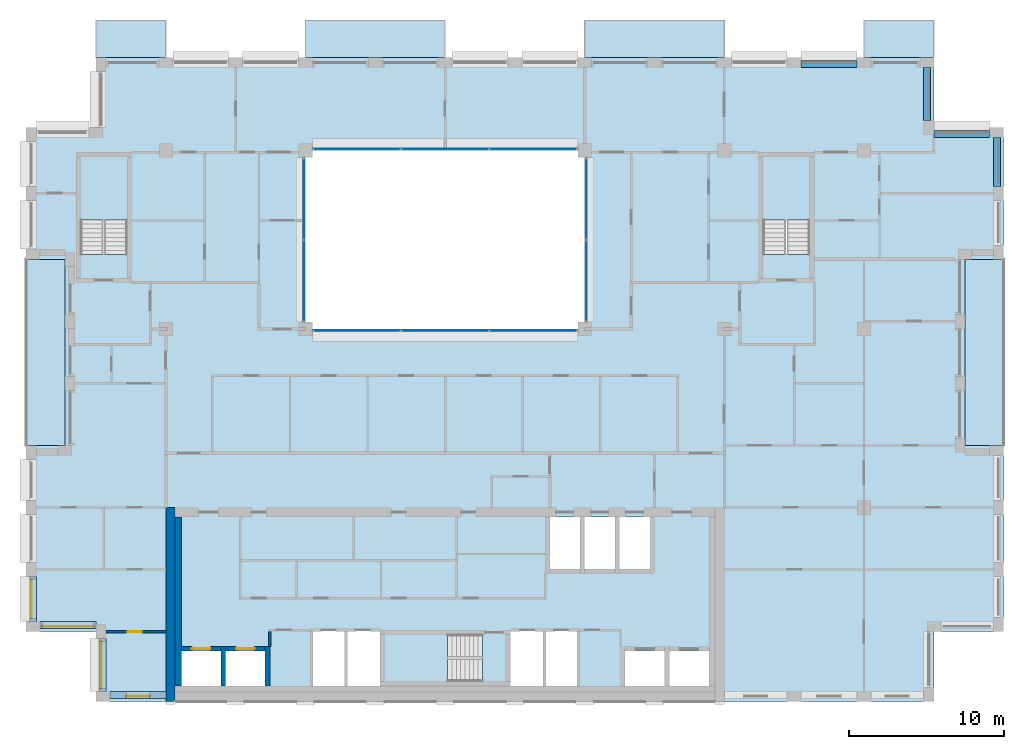
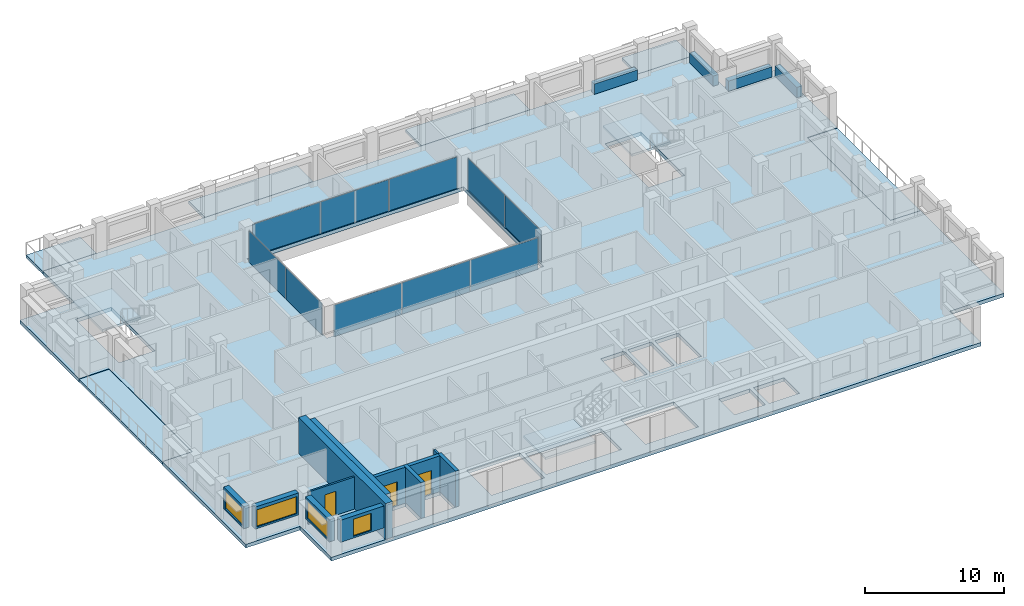
# One storey, part 7 of 15: 12 walls, 10 plates, 10 slabs, 4 beams, 4 windows, 3 doors, 7 openings, 7 elements without a shape of their own.
"""IFC4 building model written with IfcOpenShell, lengths in metres."""

from ifc_helpers import new_model, si_unit, direction, frame, frame_2d, origin, origin_2d, place, context, subcontext, project, spatial, polyline, rectangle, outline, extrude, material, layer, layer_set, material_profile, profile_set, type_object, element, fill, aggregate, save


model = new_model("IFC4")

# Units and contexts
model_context = context("Model", 3, precision=1e-05, world=origin(), true_north=direction((0.0, 1.0)))
body_context = subcontext(model_context, "Body", "Model", "MODEL_VIEW")
ifc_project = project(units=[si_unit("LENGTHUNIT", "METRE"), si_unit("AREAUNIT", "SQUARE_METRE"), si_unit("VOLUMEUNIT", "CUBIC_METRE"), si_unit("PLANEANGLEUNIT", "RADIAN"), si_unit("MASSUNIT", "GRAM", prefix="KILO")], contexts=[model_context])

# Site, building, storey
site_placement = place(None, origin())
site = spatial("IfcSite", under=ifc_project, at=site_placement, CompositionType="ELEMENT")
building_placement = place(site_placement, origin())
building = spatial("IfcBuilding", under=site, at=building_placement, Name="Brigalow Station Residences", CompositionType="ELEMENT")
storey_placement = place(building_placement, frame((0.0, 0.0, 210.60009765625)))
storey = spatial("IfcBuildingStorey", under=building, at=storey_placement, Name="L60", CompositionType="ELEMENT", Elevation=210.60009765625)

# Beams
ifc_material_1 = material(Name="Concrete C50", Category="concrete")
ifc_material_profile = material_profile(ifc_material_1, rectangle(XDim=0.449951171875, YDim=0.89990234375, at=origin_2d()), Name="RC450x900")
ifc_profile_set = profile_set([ifc_material_profile], Name="Concrete C50")
beam_type = type_object("IfcBeamType", Name="SPANDREL BEAM 450x900 C50", PredefinedType="SPANDREL", material=ifc_profile_set)
beam_1_placement = place(storey_placement, frame((71.574951171875, 33.199951171875, 0.449951171875), z_axis=(0.0, 1.0, 0.0), x_axis=(-1.0, 0.0, 0.0)))
element("IfcBeam", 1, at=beam_1_placement, inside=storey, type_object=beam_type, Name="L60/spandrel/W-L60-17", PredefinedType="SPANDREL", context=body_context, shape_type="SweptSolid", body=[
    extrude(rectangle(XDim=0.449951171875, YDim=0.89990234375, at=origin_2d()), origin(), (0.0, 0.0, 1.0), 3.150146484375),
])
beam_2_placement = place(storey_placement, frame((71.10009765625, 36.574951171875, 0.449951171875), z_axis=(-1.0, 0.0, 0.0), x_axis=(0.0, -1.0, 0.0)))
element("IfcBeam", 2, at=beam_2_placement, inside=storey, type_object=beam_type, Name="L60/spandrel/W-L60-18", PredefinedType="SPANDREL", context=body_context, shape_type="SweptSolid", body=[
    extrude(rectangle(XDim=0.449951171875, YDim=0.89990234375, at=origin_2d()), origin(), (0.0, 0.0, 1.0), 3.60009765625),
])
beam_3_placement = place(storey_placement, frame((67.074951171875, 37.449951171875, 0.449951171875), z_axis=(0.0, 1.0, 0.0), x_axis=(-1.0, 0.0, 0.0)))
element("IfcBeam", 3, at=beam_3_placement, inside=storey, type_object=beam_type, Name="L60/spandrel/W-L60-19", PredefinedType="SPANDREL", context=body_context, shape_type="SweptSolid", body=[
    extrude(rectangle(XDim=0.449951171875, YDim=0.89990234375, at=origin_2d()), origin(), (0.0, 0.0, 1.0), 3.400146484375),
])
beam_4_placement = place(storey_placement, frame((62.550048828125, 41.074951171875, 0.449951171875), z_axis=(-1.0, 0.0, 0.0), x_axis=(0.0, -1.0, 0.0)))
element("IfcBeam", 4, at=beam_4_placement, inside=storey, type_object=beam_type, Name="L60/spandrel/W-L60-21", PredefinedType="SPANDREL", context=body_context, shape_type="SweptSolid", body=[
    extrude(rectangle(XDim=0.449951171875, YDim=0.89990234375, at=origin_2d()), origin(), (0.0, 0.0, 1.0), 3.60009765625),
])

# Curtain wall, plates
ifc_material_2 = material(Name="Aluminium", Category="aluminium")
ifc_layer_1 = layer(ifc_material_2, 0.14990234375)
ifc_layer_set_1 = layer_set([ifc_layer_1], Name="ATRIUM FIRE-RATED GLAZING CURTAIN WALL")
curtain_wall_type = type_object("IfcCurtainWallType", Name="ATRIUM FIRE-RATED GLAZING CURTAIN WALL", PredefinedType="NOTDEFINED", material=ifc_layer_set_1)
curtain_wall_1_placement = place(storey_placement, origin())
curtain_wall_1 = element("IfcCurtainWall", 5, at=curtain_wall_1_placement, inside=storey, type_object=curtain_wall_type, Name="L60/cw/atrium-S", PredefinedType="NOTDEFINED")
ifc_material_3 = material(Name="Fire-resisting laminated glazing, FRL -/60/-", Category="glass")
ifc_layer_2 = layer(ifc_material_3, 0.031982421875)
ifc_layer_set_2 = layer_set([ifc_layer_2], Name="ATRIUM FIRE-RATED GLAZING PANEL 32")
plate_type = type_object("IfcPlateType", Name="ATRIUM FIRE-RATED GLAZING PANEL 32", PredefinedType="CURTAIN_PANEL", material=ifc_layer_set_2)
plate_1_placement = place(storey_placement, frame((30.31494140625, 23.89990234375, 0.0), z_axis=(0.0, 0.0, 1.0), x_axis=(1.0, 0.0, 0.0)))
plate_1 = element("IfcPlate", 6, at=plate_1_placement, type_object=plate_type, Name="L60/cw/atrium-S/P00-00", PredefinedType="CURTAIN_PANEL", context=body_context, shape_type="SweptSolid", body=[
    extrude(rectangle(XDim=5.610107421875, YDim=0.031982421875, at=origin_2d()), origin(), (0.0, 0.0, 1.0), 2.77001953125),
])
plate_2_placement = place(storey_placement, frame((36.0, 23.89990234375, 0.0), z_axis=(0.0, 0.0, 1.0), x_axis=(1.0, 0.0, 0.0)))
plate_2 = element("IfcPlate", 7, at=plate_2_placement, type_object=plate_type, Name="L60/cw/atrium-S/P01-00", PredefinedType="CURTAIN_PANEL", context=body_context, shape_type="SweptSolid", body=[
    extrude(rectangle(XDim=5.639892578125, YDim=0.031982421875, at=origin_2d()), origin(), (0.0, 0.0, 1.0), 2.77001953125),
])
plate_3_placement = place(storey_placement, frame((41.68505859375, 23.89990234375, 0.0), z_axis=(0.0, 0.0, 1.0), x_axis=(1.0, 0.0, 0.0)))
plate_3 = element("IfcPlate", 8, at=plate_3_placement, type_object=plate_type, Name="L60/cw/atrium-S/P02-00", PredefinedType="CURTAIN_PANEL", context=body_context, shape_type="SweptSolid", body=[
    extrude(rectangle(XDim=5.610107421875, YDim=0.031982421875, at=origin_2d()), origin(), (0.0, 0.0, 1.0), 2.77001953125),
])
aggregate(curtain_wall_1, [plate_1, plate_2, plate_3])

curtain_wall_2_placement = place(storey_placement, origin())
curtain_wall_2 = element("IfcCurtainWall", 9, at=curtain_wall_2_placement, inside=storey, type_object=curtain_wall_type, Name="L60/cw/atrium-E", PredefinedType="NOTDEFINED")
plate_4_placement = place(storey_placement, frame((45.10009765625, 27.114990234375, 0.0), z_axis=(0.0, 0.0, 1.0), x_axis=(0.0, 1.0, 0.0)))
plate_4 = element("IfcPlate", 10, at=plate_4_placement, type_object=plate_type, Name="L60/cw/atrium-E/P00-00", PredefinedType="CURTAIN_PANEL", context=body_context, shape_type="SweptSolid", body=[
    extrude(rectangle(XDim=5.2099609375, YDim=0.031982421875, at=origin_2d()), origin(), (0.0, 0.0, 1.0), 2.77001953125),
])
plate_5_placement = place(storey_placement, frame((45.10009765625, 32.385009765625, 0.0), z_axis=(0.0, 0.0, 1.0), x_axis=(0.0, 1.0, 0.0)))
plate_5 = element("IfcPlate", 11, at=plate_5_placement, type_object=plate_type, Name="L60/cw/atrium-E/P01-00", PredefinedType="CURTAIN_PANEL", context=body_context, shape_type="SweptSolid", body=[
    extrude(rectangle(XDim=5.2099609375, YDim=0.031982421875, at=origin_2d()), origin(), (0.0, 0.0, 1.0), 2.77001953125),
])
aggregate(curtain_wall_2, [plate_4, plate_5])

curtain_wall_3_placement = place(storey_placement, origin())
curtain_wall_3 = element("IfcCurtainWall", 12, at=curtain_wall_3_placement, inside=storey, type_object=curtain_wall_type, Name="L60/cw/atrium-N", PredefinedType="NOTDEFINED")
plate_6_placement = place(storey_placement, frame((41.68505859375, 35.60009765625, 0.0), z_axis=(0.0, 0.0, 1.0), x_axis=(-1.0, 0.0, 0.0)))
plate_6 = element("IfcPlate", 13, at=plate_6_placement, type_object=plate_type, Name="L60/cw/atrium-N/P00-00", PredefinedType="CURTAIN_PANEL", context=body_context, shape_type="SweptSolid", body=[
    extrude(rectangle(XDim=5.610107421875, YDim=0.031982421875, at=origin_2d()), origin(), (0.0, 0.0, 1.0), 2.77001953125),
])
plate_7_placement = place(storey_placement, frame((36.0, 35.60009765625, 0.0), z_axis=(0.0, 0.0, 1.0), x_axis=(-1.0, 0.0, 0.0)))
plate_7 = element("IfcPlate", 14, at=plate_7_placement, type_object=plate_type, Name="L60/cw/atrium-N/P01-00", PredefinedType="CURTAIN_PANEL", context=body_context, shape_type="SweptSolid", body=[
    extrude(rectangle(XDim=5.639892578125, YDim=0.031982421875, at=origin_2d()), origin(), (0.0, 0.0, 1.0), 2.77001953125),
])
plate_8_placement = place(storey_placement, frame((30.31494140625, 35.60009765625, 0.0), z_axis=(0.0, 0.0, 1.0), x_axis=(-1.0, 0.0, 0.0)))
plate_8 = element("IfcPlate", 15, at=plate_8_placement, type_object=plate_type, Name="L60/cw/atrium-N/P02-00", PredefinedType="CURTAIN_PANEL", context=body_context, shape_type="SweptSolid", body=[
    extrude(rectangle(XDim=5.610107421875, YDim=0.031982421875, at=origin_2d()), origin(), (0.0, 0.0, 1.0), 2.77001953125),
])
aggregate(curtain_wall_3, [plate_6, plate_7, plate_8])

curtain_wall_4_placement = place(storey_placement, origin())
curtain_wall_4 = element("IfcCurtainWall", 16, at=curtain_wall_4_placement, inside=storey, type_object=curtain_wall_type, Name="L60/cw/atrium-W", PredefinedType="NOTDEFINED")
plate_9_placement = place(storey_placement, frame((26.89990234375, 32.385009765625, 0.0), z_axis=(0.0, 0.0, 1.0), x_axis=(0.0, -1.0, 0.0)))
plate_9 = element("IfcPlate", 17, at=plate_9_placement, type_object=plate_type, Name="L60/cw/atrium-W/P00-00", PredefinedType="CURTAIN_PANEL", context=body_context, shape_type="SweptSolid", body=[
    extrude(rectangle(XDim=5.2099609375, YDim=0.031982421875, at=origin_2d()), origin(), (0.0, 0.0, 1.0), 2.77001953125),
])
plate_10_placement = place(storey_placement, frame((26.89990234375, 27.114990234375, 0.0), z_axis=(0.0, 0.0, 1.0), x_axis=(0.0, -1.0, 0.0)))
plate_10 = element("IfcPlate", 18, at=plate_10_placement, type_object=plate_type, Name="L60/cw/atrium-W/P01-00", PredefinedType="CURTAIN_PANEL", context=body_context, shape_type="SweptSolid", body=[
    extrude(rectangle(XDim=5.2099609375, YDim=0.031982421875, at=origin_2d()), origin(), (0.0, 0.0, 1.0), 2.77001953125),
])
aggregate(curtain_wall_4, [plate_9, plate_10])

# Slabs
ifc_material_4 = material(Name="Concrete C50 precast", Category="concrete")
ifc_layer_3 = layer(ifc_material_4, 0.25)
ifc_layer_set_3 = layer_set([ifc_layer_3], Name="BALCONY SLAB 250")
slab_type_1 = type_object("IfcSlabType", Name="BALCONY SLAB 250", PredefinedType="USERDEFINED", material=ifc_layer_set_3)
slab_1_placement = place(storey_placement, frame((0.0, 0.0, -0.2900390625)))
element("IfcSlab", 19, at=slab_1_placement, inside=storey, type_object=slab_type_1, Name="L60/balcony/1", ObjectType="BALCONY", PredefinedType="USERDEFINED", context=body_context, shape_type="SweptSolid", body=[
    extrude(outline(polyline([(69.5, 16.5), (72.0, 16.5), (72.0, 28.5), (69.5, 28.5), (69.5, 16.5)])), origin(), (0.0, 0.0, 1.0), 0.25),
])
slab_2_placement = place(storey_placement, frame((0.0, 0.0, -0.2900390625)))
element("IfcSlab", 20, at=slab_2_placement, inside=storey, type_object=slab_type_1, Name="L60/balcony/2", ObjectType="BALCONY", PredefinedType="USERDEFINED", context=body_context, shape_type="SweptSolid", body=[
    extrude(outline(polyline([(67.5, 41.5), (67.5, 43.89990234375), (63.0, 43.89990234375), (63.0, 41.5), (67.5, 41.5)])), origin(), (0.0, 0.0, 1.0), 0.25),
])
slab_3_placement = place(storey_placement, frame((0.0, 0.0, -0.2900390625)))
element("IfcSlab", 21, at=slab_3_placement, inside=storey, type_object=slab_type_1, Name="L60/balcony/3", ObjectType="BALCONY", PredefinedType="USERDEFINED", context=body_context, shape_type="SweptSolid", body=[
    extrude(outline(polyline([(54.0, 41.5), (54.0, 43.89990234375), (45.0, 43.89990234375), (45.0, 41.5), (54.0, 41.5)])), origin(), (0.0, 0.0, 1.0), 0.25),
])
slab_4_placement = place(storey_placement, frame((0.0, 0.0, -0.2900390625)))
element("IfcSlab", 22, at=slab_4_placement, inside=storey, type_object=slab_type_1, Name="L60/balcony/4", ObjectType="BALCONY", PredefinedType="USERDEFINED", context=body_context, shape_type="SweptSolid", body=[
    extrude(outline(polyline([(36.0, 41.5), (36.0, 43.89990234375), (27.0, 43.89990234375), (27.0, 41.5), (36.0, 41.5)])), origin(), (0.0, 0.0, 1.0), 0.25),
])
slab_5_placement = place(storey_placement, frame((0.0, 0.0, -0.2900390625)))
element("IfcSlab", 23, at=slab_5_placement, inside=storey, type_object=slab_type_1, Name="L60/balcony/5", ObjectType="BALCONY", PredefinedType="USERDEFINED", context=body_context, shape_type="SweptSolid", body=[
    extrude(outline(polyline([(18.0, 41.5), (18.0, 43.89990234375), (13.5, 43.89990234375), (13.5, 41.5), (18.0, 41.5)])), origin(), (0.0, 0.0, 1.0), 0.25),
])
slab_6_placement = place(storey_placement, frame((0.0, 0.0, -0.2900390625)))
element("IfcSlab", 24, at=slab_6_placement, inside=storey, type_object=slab_type_1, Name="L60/balcony/6", ObjectType="BALCONY", PredefinedType="USERDEFINED", context=body_context, shape_type="SweptSolid", body=[
    extrude(outline(polyline([(11.5, 28.5), (9.0, 28.5), (9.0, 16.5), (11.5, 16.5), (11.5, 28.5)])), origin(), (0.0, 0.0, 1.0), 0.25),
])
ifc_material_5 = material(Name="Concrete C50", Category="concrete")
ifc_layer_4 = layer(ifc_material_5, 0.320068359375)
ifc_layer_set_4 = layer_set([ifc_layer_4], Name="POST-TENSIONED FLAT PLATE 320 C50")
slab_type_2 = type_object("IfcSlabType", Name="POST-TENSIONED FLAT PLATE 320 C50", PredefinedType="FLOOR", material=ifc_layer_set_4)
slab_7_placement = place(storey_placement, frame((0.0, 0.0, -0.320068359375)))
element("IfcSlab", 25, at=slab_7_placement, inside=storey, type_object=slab_type_2, Name="FLOOR SLAB L60", PredefinedType="FLOOR", context=body_context, shape_type="SweptSolid", body=[
    extrude(outline(polyline([(13.5, 0.0), (67.5, 0.0), (67.5, 4.5), (72.0, 4.5), (72.0, 16.5), (69.5, 16.5), (69.5, 28.5), (72.0, 28.5), (72.0, 37.0), (67.5, 37.0), (67.5, 41.5), (13.5, 41.5), (13.5, 37.0), (9.0, 37.0), (9.0, 28.5), (11.5, 28.5), (11.5, 16.5), (9.0, 16.5), (9.0, 4.5), (13.5, 4.5), (13.5, 0.0)]), holes=[polyline([(12.5048828125, 35.094970703125), (15.4951171875, 35.094970703125), (15.4951171875, 28.804931640625), (12.5048828125, 28.804931640625), (12.5048828125, 35.094970703125)]), polyline([(19.0, 1.0), (19.0, 3.25), (21.550048828125, 3.25), (21.550048828125, 1.0), (19.0, 1.0)]), polyline([(21.85009765625, 3.25), (24.39990234375, 3.25), (24.39990234375, 1.0), (21.85009765625, 1.0), (21.85009765625, 3.25)]), polyline([(27.0, 35.5), (45.0, 35.5), (45.0, 24.0), (27.0, 24.0), (27.0, 35.5)]), polyline([(29.60009765625, 4.60009765625), (31.800048828125, 4.60009765625), (31.800048828125, 1.0), (29.60009765625, 1.0), (27.39990234375, 1.0), (27.39990234375, 4.60009765625), (29.60009765625, 4.60009765625)]), polyline([(32.10498046875, 4.294921875), (38.39501953125, 4.294921875), (38.39501953125, 1.304931640625), (32.10498046875, 1.304931640625), (32.10498046875, 4.294921875)]), polyline([(40.199951171875, 4.60009765625), (42.39990234375, 4.60009765625), (44.60009765625, 4.60009765625), (44.60009765625, 1.0), (42.39990234375, 1.0), (40.199951171875, 1.0), (40.199951171875, 4.60009765625)]), polyline([(42.75, 11.89990234375), (44.699951171875, 11.89990234375), (44.699951171875, 8.550048828125), (42.75, 8.550048828125), (42.75, 11.89990234375)]), polyline([(45.0, 11.89990234375), (46.949951171875, 11.89990234375), (46.949951171875, 8.550048828125), (45.0, 8.550048828125), (45.0, 11.89990234375)]), polyline([(47.25, 11.89990234375), (49.199951171875, 11.89990234375), (49.199951171875, 8.550048828125), (47.25, 8.550048828125), (47.25, 11.89990234375)]), polyline([(47.60009765625, 3.25), (50.14990234375, 3.25), (50.14990234375, 1.0), (47.60009765625, 1.0), (47.60009765625, 3.25)]), polyline([(50.449951171875, 3.25), (53.0, 3.25), (53.0, 1.0), (50.449951171875, 1.0), (50.449951171875, 3.25)]), polyline([(56.5048828125, 35.094970703125), (59.4951171875, 35.094970703125), (59.4951171875, 28.804931640625), (56.5048828125, 28.804931640625), (56.5048828125, 35.094970703125)])]), origin(), (0.0, 0.0, 1.0), 0.320068359375),
])

# Stair, slab
ifc_material_6 = material(Name="Concrete C50", Category="concrete")
stair_type = type_object("IfcStairType", Name="EXIT STAIR 1400 2 FLIGHT", PredefinedType="HALF_TURN_STAIR", material=ifc_material_6)
stair_1_placement = place(storey_placement, origin())
stair_1 = element("IfcStair", 26, at=stair_1_placement, inside=storey, type_object=stair_type, Name="EXIT STAIR S2 L60", PredefinedType="HALF_TURN_STAIR")
ifc_material_7 = material(Name="Concrete C50", Category="concrete")
ifc_layer_5 = layer(ifc_material_7, 0.199951171875)
ifc_layer_set_5 = layer_set([ifc_layer_5], Name="STAIR LANDING 200")
slab_type_3 = type_object("IfcSlabType", Name="STAIR LANDING 200", PredefinedType="LANDING", material=ifc_layer_set_5)
slab_8_placement = place(storey_placement, frame((0.0, 0.0, 1.375)))
slab_8 = element("IfcSlab", 27, at=slab_8_placement, type_object=slab_type_3, Name="ST-2 landing 1", PredefinedType="LANDING", context=body_context, shape_type="SweptSolid", body=[
    extrude(outline(polyline([(32.0, 1.199951171875), (36.159912109375, 1.199951171875), (36.159912109375, 4.39990234375), (32.0, 4.39990234375), (32.0, 1.199951171875)])), origin(), (0.0, 0.0, 1.0), 0.199951171875),
])
aggregate(stair_1, [slab_8])

stair_2_placement = place(storey_placement, origin())
stair_2 = element("IfcStair", 28, at=stair_2_placement, inside=storey, type_object=stair_type, Name="EXIT STAIR S1 L60", PredefinedType="HALF_TURN_STAIR")
slab_9_placement = place(storey_placement, frame((0.0, 0.0, 1.375)))
slab_9 = element("IfcSlab", 29, at=slab_9_placement, type_object=slab_type_3, Name="ST-1 landing 1", PredefinedType="LANDING", context=body_context, shape_type="SweptSolid", body=[
    extrude(outline(polyline([(12.39990234375, 31.0400390625), (15.60009765625, 31.0400390625), (15.60009765625, 35.199951171875), (12.39990234375, 35.199951171875), (12.39990234375, 31.0400390625)])), origin(), (0.0, 0.0, 1.0), 0.199951171875),
])
aggregate(stair_2, [slab_9])

stair_3_placement = place(storey_placement, origin())
stair_3 = element("IfcStair", 30, at=stair_3_placement, inside=storey, type_object=stair_type, Name="EXIT STAIR S3 L60", PredefinedType="HALF_TURN_STAIR")
slab_10_placement = place(storey_placement, frame((0.0, 0.0, 1.375)))
slab_10 = element("IfcSlab", 31, at=slab_10_placement, type_object=slab_type_3, Name="ST-3 landing 1", PredefinedType="LANDING", context=body_context, shape_type="SweptSolid", body=[
    extrude(outline(polyline([(56.39990234375, 31.0400390625), (59.60009765625, 31.0400390625), (59.60009765625, 35.199951171875), (56.39990234375, 35.199951171875), (56.39990234375, 31.0400390625)])), origin(), (0.0, 0.0, 1.0), 0.199951171875),
])
aggregate(stair_3, [slab_10])

# Wall, opening, window
ifc_material_8 = material(Name="Clay brick masonry", Category="masonry")
ifc_layer_6 = layer(ifc_material_8, 0.449951171875)
ifc_layer_set_6 = layer_set([ifc_layer_6], Name="BRICK INFILL WALL 450")
wall_type_1 = type_object("IfcWallType", Name="BRICK INFILL WALL 450", PredefinedType="SOLIDWALL", material=ifc_layer_set_6)
wall_1_placement = place(storey_placement, frame((14.39990234375, 0.425048828125, 0.89990234375), z_axis=(0.0, 0.0, 1.0), x_axis=(1.0, 0.0, 0.0)))
wall_1 = element("IfcWall", 32, at=wall_1_placement, inside=storey, type_object=wall_type_1, Name="L60/ewall/W-L60-1", PredefinedType="SOLIDWALL", context=body_context, shape_type="SweptSolid", body=[
    extrude(rectangle(XDim=3.60009765625, YDim=0.449951171875, at=frame_2d((1.800048828125, 0.0))), origin(), (0.0, 0.0, 1.0), 1.929931640625),
])
opening_1_placement = place(wall_1_placement, frame((1.050048828125, 0.0, 0.14990234375)))
opening_1 = element("IfcOpeningElement", 33, at=opening_1_placement, cuts=wall_1, Name="Opening WT-1", PredefinedType="OPENING", context=body_context, shape_type="SweptSolid", body=[
    extrude(rectangle(XDim=1.5, YDim=1.5, at=frame_2d((0.75, 0.75))), frame((0.0, 0.23486328125, 0.0), z_axis=(0.0, -1.0, 0.0), x_axis=(1.0, 0.0, 0.0)), (0.0, 0.0, 1.0), 0.469970703125),
])
ifc_material_9 = material(Name="Anodised aluminium frame with double glazing", Category="aluminium")
window_type_1 = type_object("IfcWindowType", Name="WINDOW 1500x1500", PartitioningType="SINGLE_PANEL", PredefinedType="WINDOW", material=ifc_material_9)
window_1_placement = place(opening_1_placement, origin())
window_1 = element("IfcWindow", 34, at=window_1_placement, inside=storey, type_object=window_type_1, Name="L60/window/W-L60-1", OverallHeight=1.5, OverallWidth=1.5, PartitioningType="SINGLE_PANEL", PredefinedType="WINDOW", context=body_context, shape_type="SweptSolid", body=[
    extrude(rectangle(XDim=1.5, YDim=1.5, at=frame_2d((0.75, 0.75))), frame((0.0, -0.06494140625, 0.0), z_axis=(0.0, -1.0, 0.0), x_axis=(1.0, 0.0, 0.0)), (0.0, 0.0, 1.0), 0.06005859375),
])
fill(opening_1, window_1)

wall_2_placement = place(storey_placement, frame((9.425048828125, 8.050048828125, 0.89990234375), z_axis=(0.0, 0.0, 1.0), x_axis=(0.0, -1.0, 0.0)))
wall_2 = element("IfcWall", 35, at=wall_2_placement, inside=storey, type_object=wall_type_1, Name="L60/ewall/W-L60-43", PredefinedType="SOLIDWALL", context=body_context, shape_type="SweptSolid", body=[
    extrude(rectangle(XDim=2.900146484375, YDim=0.449951171875, at=frame_2d((1.4501953125, 0.0))), origin(), (0.0, 0.0, 1.0), 1.929931640625),
])
opening_2_placement = place(wall_2_placement, frame((0.199951171875, 0.0, 0.14990234375)))
opening_2 = element("IfcOpeningElement", 36, at=opening_2_placement, cuts=wall_2, Name="Opening WT-5", PredefinedType="OPENING", context=body_context, shape_type="SweptSolid", body=[
    extrude(rectangle(XDim=2.5, YDim=1.5, at=frame_2d((1.25, 0.75))), frame((0.0, 0.23486328125, 0.0), z_axis=(0.0, -1.0, 0.0), x_axis=(1.0, 0.0, 0.0)), (0.0, 0.0, 1.0), 0.469970703125),
])
ifc_material_10 = material(Name="Anodised aluminium frame with double glazing", Category="aluminium")
window_type_2 = type_object("IfcWindowType", Name="WINDOW 2500x1500", PartitioningType="SINGLE_PANEL", PredefinedType="WINDOW", material=ifc_material_10)
window_2_placement = place(opening_2_placement, origin())
window_2 = element("IfcWindow", 37, at=window_2_placement, inside=storey, type_object=window_type_2, Name="L60/window/W-L60-43", OverallHeight=1.5, OverallWidth=2.5, PartitioningType="SINGLE_PANEL", PredefinedType="WINDOW", context=body_context, shape_type="SweptSolid", body=[
    extrude(rectangle(XDim=2.5, YDim=1.5, at=frame_2d((1.25, 0.75))), frame((0.0, -0.06494140625, 0.0), z_axis=(0.0, -1.0, 0.0), x_axis=(1.0, 0.0, 0.0)), (0.0, 0.0, 1.0), 0.06005859375),
])
fill(opening_2, window_2)

wall_3_placement = place(storey_placement, frame((9.89990234375, 4.925048828125, 0.89990234375), z_axis=(0.0, 0.0, 1.0), x_axis=(1.0, 0.0, 0.0)))
wall_3 = element("IfcWall", 38, at=wall_3_placement, inside=storey, type_object=wall_type_1, Name="L60/ewall/W-L60-44", PredefinedType="SOLIDWALL", context=body_context, shape_type="SweptSolid", body=[
    extrude(rectangle(XDim=3.60009765625, YDim=0.449951171875, at=frame_2d((1.800048828125, 0.0))), origin(), (0.0, 0.0, 1.0), 1.929931640625),
])
opening_3_placement = place(wall_3_placement, frame((0.14990234375, 0.0, 0.14990234375)))
opening_3 = element("IfcOpeningElement", 39, at=opening_3_placement, cuts=wall_3, Name="Opening WT-10", PredefinedType="OPENING", context=body_context, shape_type="SweptSolid", body=[
    extrude(rectangle(XDim=3.300048828125, YDim=1.5, at=frame_2d((1.64990234375, 0.75))), frame((0.0, 0.23486328125, 0.0), z_axis=(0.0, -1.0, 0.0), x_axis=(1.0, 0.0, 0.0)), (0.0, 0.0, 1.0), 0.469970703125),
])
ifc_material_11 = material(Name="Anodised aluminium frame with double glazing", Category="aluminium")
window_type_3 = type_object("IfcWindowType", Name="WINDOW 3300x1500", PartitioningType="SINGLE_PANEL", PredefinedType="WINDOW", material=ifc_material_11)
window_3_placement = place(opening_3_placement, origin())
window_3 = element("IfcWindow", 40, at=window_3_placement, inside=storey, type_object=window_type_3, Name="L60/window/W-L60-44", OverallHeight=1.5, OverallWidth=3.300048828125, PartitioningType="SINGLE_PANEL", PredefinedType="WINDOW", context=body_context, shape_type="SweptSolid", body=[
    extrude(rectangle(XDim=3.300048828125, YDim=1.5, at=frame_2d((1.64990234375, 0.75))), frame((0.0, -0.06494140625, 0.0), z_axis=(0.0, -1.0, 0.0), x_axis=(1.0, 0.0, 0.0)), (0.0, 0.0, 1.0), 0.06005859375),
])
fill(opening_3, window_3)

wall_4_placement = place(storey_placement, frame((13.925048828125, 4.050048828125, 0.89990234375), z_axis=(0.0, 0.0, 1.0), x_axis=(0.0, -1.0, 0.0)))
wall_4 = element("IfcWall", 41, at=wall_4_placement, inside=storey, type_object=wall_type_1, Name="L60/ewall/W-L60-45", PredefinedType="SOLIDWALL", context=body_context, shape_type="SweptSolid", body=[
    extrude(rectangle(XDim=3.400146484375, YDim=0.449951171875, at=frame_2d((1.7001953125, 0.0))), origin(), (0.0, 0.0, 1.0), 1.929931640625),
])
opening_4_placement = place(wall_4_placement, frame((0.199951171875, 0.0, 0.14990234375)))
opening_4 = element("IfcOpeningElement", 42, at=opening_4_placement, cuts=wall_4, Name="Opening WT-2", PredefinedType="OPENING", context=body_context, shape_type="SweptSolid", body=[
    extrude(rectangle(XDim=3.0, YDim=1.5, at=frame_2d((1.5, 0.75))), frame((0.0, 0.23486328125, 0.0), z_axis=(0.0, -1.0, 0.0), x_axis=(1.0, 0.0, 0.0)), (0.0, 0.0, 1.0), 0.469970703125),
])
ifc_material_12 = material(Name="Anodised aluminium frame with double glazing", Category="aluminium")
window_type_4 = type_object("IfcWindowType", Name="WINDOW 3000x1500", PartitioningType="SINGLE_PANEL", PredefinedType="WINDOW", material=ifc_material_12)
window_4_placement = place(opening_4_placement, origin())
window_4 = element("IfcWindow", 43, at=window_4_placement, inside=storey, type_object=window_type_4, Name="L60/window/W-L60-45", OverallHeight=1.5, OverallWidth=3.0, PartitioningType="SINGLE_PANEL", PredefinedType="WINDOW", context=body_context, shape_type="SweptSolid", body=[
    extrude(rectangle(XDim=3.0, YDim=1.5, at=frame_2d((1.5, 0.75))), frame((0.0, -0.06494140625, 0.0), z_axis=(0.0, -1.0, 0.0), x_axis=(1.0, 0.0, 0.0)), (0.0, 0.0, 1.0), 0.06005859375),
])
fill(opening_4, window_4)

# Wall, opening, door
ifc_material_13 = material(Name="Concrete C50", Category="concrete")
ifc_layer_7 = layer(ifc_material_13, 0.300048828125)
ifc_layer_set_7 = layer_set([ifc_layer_7], Name="CORE SHEAR WALL 300 C50")
wall_type_2 = type_object("IfcWallType", Name="CORE SHEAR WALL 300 C50", PredefinedType="SHEAR", material=ifc_layer_set_7)
wall_5_placement = place(storey_placement, frame((19.0, 3.39990234375, 0.0), z_axis=(0.0, 0.0, 1.0), x_axis=(1.0, 0.0, 0.0)))
wall_5 = element("IfcWall", 44, at=wall_5_placement, inside=storey, type_object=wall_type_2, Name="CORE WALL SH-C1-N L60", PredefinedType="SHEAR", context=body_context, shape_type="SweptSolid", body=[
    extrude(rectangle(XDim=2.550048828125, YDim=0.300048828125, at=frame_2d((1.27490234375, 0.0))), origin(), (0.0, 0.0, 1.0), 3.14990234375),
])
opening_5_placement = place(wall_5_placement, frame((0.675048828125, 0.0, 0.0)))
opening_5 = element("IfcOpeningElement", 45, at=opening_5_placement, cuts=wall_5, Name="Opening LD-LB1", PredefinedType="OPENING", context=body_context, shape_type="SweptSolid", body=[
    extrude(rectangle(XDim=1.199951171875, YDim=2.10009765625, at=frame_2d((0.60009765625, 1.050048828125))), frame((0.0, 0.16015625, 0.0), z_axis=(0.0, -1.0, 0.0), x_axis=(1.0, 0.0, 0.0)), (0.0, 0.0, 1.0), 0.320068359375),
])
ifc_material_14 = material(Name="Stainless steel sliding door leaves", Category="steel")
door_type_1 = type_object("IfcDoorType", Name="LIFT LANDING DOOR 1200 x 2100", OperationType="DOUBLE_DOOR_SLIDING", PredefinedType="DOOR", material=ifc_material_14)
door_1_placement = place(opening_5_placement, origin())
door_1 = element("IfcDoor", 46, at=door_1_placement, inside=storey, type_object=door_type_1, Name="LANDING DOOR LB1", OperationType="DOUBLE_DOOR_SLIDING", OverallHeight=2.10009765625, OverallWidth=1.199951171875, PredefinedType="DOOR", context=body_context, shape_type="SweptSolid", body=[
    extrude(rectangle(XDim=1.199951171875, YDim=2.10009765625, at=frame_2d((0.60009765625, 1.050048828125))), frame((0.0, 0.02490234375, 0.0), z_axis=(0.0, -1.0, 0.0), x_axis=(1.0, 0.0, 0.0)), (0.0, 0.0, 1.0), 0.050048828125),
])
fill(opening_5, door_1)

wall_6_placement = place(storey_placement, frame((21.85009765625, 3.39990234375, 0.0), z_axis=(0.0, 0.0, 1.0), x_axis=(1.0, 0.0, 0.0)))
wall_6 = element("IfcWall", 47, at=wall_6_placement, inside=storey, type_object=wall_type_2, Name="CORE WALL SH-C2-N L60", PredefinedType="SHEAR", context=body_context, shape_type="SweptSolid", body=[
    extrude(rectangle(XDim=2.5498046875, YDim=0.300048828125, at=frame_2d((1.27490234375, 0.0))), origin(), (0.0, 0.0, 1.0), 3.14990234375),
])
opening_6_placement = place(wall_6_placement, frame((0.675048828125, 0.0, 0.0)))
opening_6 = element("IfcOpeningElement", 48, at=opening_6_placement, cuts=wall_6, Name="Opening LD-LB2", PredefinedType="OPENING", context=body_context, shape_type="SweptSolid", body=[
    extrude(rectangle(XDim=1.199951171875, YDim=2.10009765625, at=frame_2d((0.60009765625, 1.050048828125))), frame((0.0, 0.16015625, 0.0), z_axis=(0.0, -1.0, 0.0), x_axis=(1.0, 0.0, 0.0)), (0.0, 0.0, 1.0), 0.320068359375),
])
door_2_placement = place(opening_6_placement, origin())
door_2 = element("IfcDoor", 49, at=door_2_placement, inside=storey, type_object=door_type_1, Name="LANDING DOOR LB2", OperationType="DOUBLE_DOOR_SLIDING", OverallHeight=2.10009765625, OverallWidth=1.199951171875, PredefinedType="DOOR", context=body_context, shape_type="SweptSolid", body=[
    extrude(rectangle(XDim=1.199951171875, YDim=2.10009765625, at=frame_2d((0.60009765625, 1.050048828125))), frame((0.0, 0.02490234375, 0.0), z_axis=(0.0, -1.0, 0.0), x_axis=(1.0, 0.0, 0.0)), (0.0, 0.0, 1.0), 0.050048828125),
])
fill(opening_6, door_2)

# Walls
for number, where, z_axis, x_axis, name in (
    (50, (21.699951171875, 1.0, 0.0), (0.0, 0.0, 1.0), (0.0, 1.0, 0.0), "CORE WALL SH-C2-W L60"),
    (51, (24.550048828125, 1.0, 0.0), (0.0, 0.0, 1.0), (0.0, 1.0, 0.0), "CORE WALL SH-C2-E L60"),
):
    element("IfcWall", number, at=place(storey_placement, frame(where, z_axis=z_axis, x_axis=x_axis)), inside=storey, type_object=wall_type_2, Name=name, PredefinedType="SHEAR", context=body_context, shape_type="SweptSolid", body=[
        extrude(rectangle(XDim=2.550048828125, YDim=0.300048828125, at=frame_2d((1.27490234375, 0.0))), origin(), (0.0, 0.0, 1.0), 3.14990234375),
    ])
ifc_material_15 = material(Name="Concrete C50", Category="concrete")
ifc_layer_8 = layer(ifc_material_15, 0.39990234375)
ifc_layer_set_8 = layer_set([ifc_layer_8], Name="CORE SHEAR WALL 400 C50")
wall_type_3 = type_object("IfcWallType", Name="CORE SHEAR WALL 400 C50", PredefinedType="SHEAR", material=ifc_layer_set_8)
wall_7_placement = place(storey_placement, frame((18.800048828125, 1.0, 0.0), z_axis=(0.0, 0.0, 1.0), x_axis=(0.0, 1.0, 0.0)))
element("IfcWall", 52, at=wall_7_placement, inside=storey, type_object=wall_type_3, Name="CORE WALL LIN-W L60", PredefinedType="SHEAR", context=body_context, shape_type="SweptSolid", body=[
    extrude(rectangle(XDim=10.89990234375, YDim=0.39990234375, at=frame_2d((5.449951171875, 0.0))), origin(), (0.0, 0.0, 1.0), 3.14990234375),
])
ifc_material_16 = material(Name="Concrete C50", Category="concrete")
ifc_layer_9 = layer(ifc_material_16, 0.60009765625)
ifc_layer_set_9 = layer_set([ifc_layer_9], Name="CORE SHEAR WALL 600 C50")
wall_type_4 = type_object("IfcWallType", Name="CORE SHEAR WALL 600 C50", PredefinedType="SHEAR", material=ifc_layer_set_9)
wall_8_placement = place(storey_placement, frame((18.300048828125, 0.0, 0.0), z_axis=(0.0, 0.0, 1.0), x_axis=(0.0, 1.0, 0.0)))
element("IfcWall", 53, at=wall_8_placement, inside=storey, type_object=wall_type_4, Name="CORE WALL OUT-W L60", PredefinedType="SHEAR", context=body_context, shape_type="SweptSolid", body=[
    extrude(rectangle(XDim=12.5, YDim=0.60009765625, at=frame_2d((6.25, 0.0))), origin(), (0.0, 0.0, 1.0), 3.14990234375),
])

# Wall, opening, door
ifc_material_17 = material(Name="Plasterboard on steel stud partition", Category="steel")
ifc_layer_10 = layer(ifc_material_17, 0.14990234375)
ifc_layer_set_10 = layer_set([ifc_layer_10], Name="FLAT PARTITION 150")
wall_type_5 = type_object("IfcWallType", Name="FLAT PARTITION 150", PredefinedType="PARTITIONING", material=ifc_layer_set_10)
wall_9_placement = place(storey_placement, frame((14.14990234375, 4.5, 0.0), z_axis=(0.0, 0.0, 1.0), x_axis=(1.0, 0.0, 0.0)))
wall_9 = element("IfcWall", 54, at=wall_9_placement, inside=storey, type_object=wall_type_5, Name="PW-4B14", PredefinedType="PARTITIONING", context=body_context, shape_type="SweptSolid", body=[
    extrude(rectangle(XDim=3.85009765625, YDim=0.14990234375, at=frame_2d((1.925048828125, 0.0))), origin(), (0.0, 0.0, 1.0), 2.829833984375),
])
opening_7_placement = place(wall_9_placement, frame((1.39990234375, 0.0, 0.0)))
opening_7 = element("IfcOpeningElement", 55, at=opening_7_placement, cuts=wall_9, Name="Opening D-4B09", PredefinedType="OPENING", context=body_context, shape_type="SweptSolid", body=[
    extrude(rectangle(XDim=0.89990234375, YDim=2.10009765625, at=frame_2d((0.449951171875, 1.050048828125))), frame((0.0, 0.0849609375, 0.0), z_axis=(0.0, -1.0, 0.0), x_axis=(1.0, 0.0, 0.0)), (0.0, 0.0, 1.0), 0.169921875),
])
ifc_material_18 = material(Name="Solid-core timber door leaf", Category="wood")
door_type_2 = type_object("IfcDoorType", Name="INTERNAL DOOR 900 x 2100", OperationType="SINGLE_SWING_LEFT", PredefinedType="DOOR", material=ifc_material_18)
door_3_placement = place(opening_7_placement, frame((0.89990234375, 0.0, 0.0), z_axis=(0.0, 0.0, 1.0), x_axis=(-1.0, 0.0, 0.0)))
door_3 = element("IfcDoor", 56, at=door_3_placement, inside=storey, type_object=door_type_2, Name="D-4B09", OperationType="SINGLE_SWING_RIGHT", OverallHeight=2.10009765625, OverallWidth=0.89990234375, PredefinedType="DOOR", context=body_context, shape_type="SweptSolid", body=[
    extrude(rectangle(XDim=0.89990234375, YDim=2.10009765625, at=frame_2d((0.449951171875, 1.050048828125))), frame((0.0, 0.02490234375, 0.0), z_axis=(0.0, -1.0, 0.0), x_axis=(1.0, 0.0, 0.0)), (0.0, 0.0, 1.0), 0.050048828125),
])
fill(opening_7, door_3)

# Wall
ifc_material_19 = material(Name="Plasterboard on steel studs", Category="steel")
ifc_layer_11 = layer(ifc_material_19, 0.14990234375)
ifc_layer_set_11 = layer_set([ifc_layer_11], Name="SERVICE ROOM PARTITION 150")
wall_type_6 = type_object("IfcWallType", Name="SERVICE ROOM PARTITION 150", PredefinedType="PARTITIONING", material=ifc_layer_set_11)
wall_10_placement = place(storey_placement, frame((24.699951171875, 3.550048828125, 0.0), z_axis=(0.0, 0.0, 1.0), x_axis=(0.0, 1.0, 0.0)))
element("IfcWall", 57, at=wall_10_placement, inside=storey, type_object=wall_type_6, Name="PW-5157", PredefinedType="PARTITIONING", context=body_context, shape_type="SweptSolid", body=[
    extrude(rectangle(XDim=0.974853515625, YDim=0.14990234375, at=frame_2d((0.4873046875, 0.0))), origin(), (0.0, 0.0, 1.0), 2.829833984375),
])

save(model, "model.ifc")
